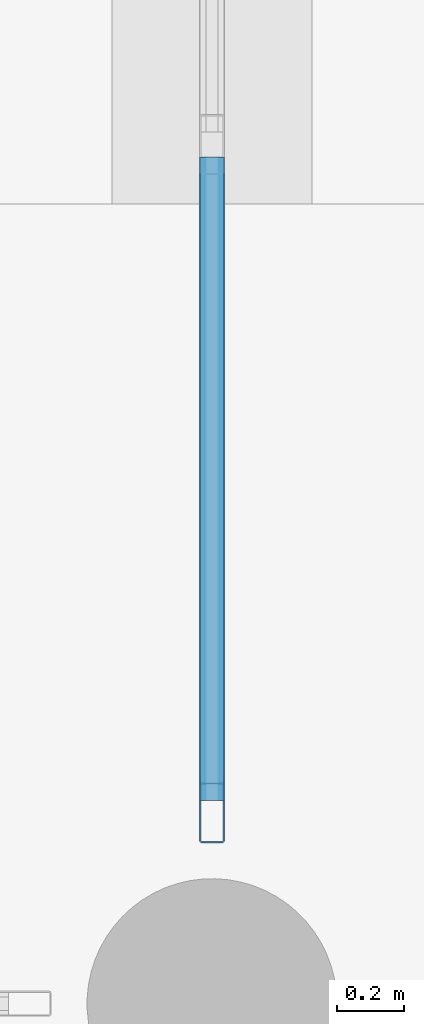
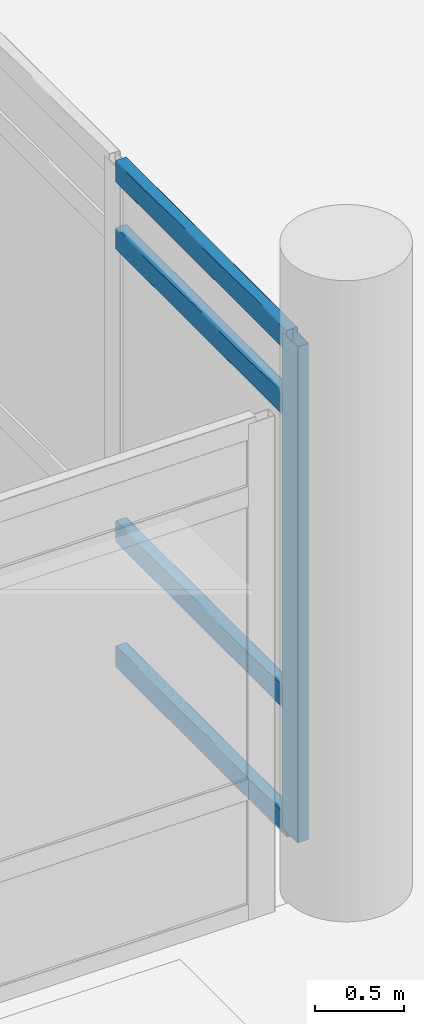
# One storey, part 90 of 196: 5 members, 1 element without a shape of its own.
"""IFC4 building model written with IfcOpenShell, lengths in metres."""

from ifc_helpers import new_model, si_unit, direction, frame, origin, origin_2d, place, context, subcontext, project, spatial, hollow_rectangle, extrude, material, layer, layer_set, material_profile, profile_set, type_object, element, aggregate, save


model = new_model("IFC4")

# Units and contexts
model_context = context("Model", 3, precision=1e-05, world=origin(), true_north=direction((0.0, 1.0)))
body_context = subcontext(model_context, "Body", "Model", "MODEL_VIEW")
ifc_project = project(units=[si_unit("LENGTHUNIT", "METRE"), si_unit("AREAUNIT", "SQUARE_METRE"), si_unit("VOLUMEUNIT", "CUBIC_METRE"), si_unit("PLANEANGLEUNIT", "RADIAN"), si_unit("MASSUNIT", "GRAM", prefix="KILO")], contexts=[model_context])

# Site, building, storey
site_placement = place(None, origin())
site = spatial("IfcSite", under=ifc_project, at=site_placement, CompositionType="ELEMENT")
building_placement = place(site_placement, origin())
building = spatial("IfcBuilding", under=site, at=building_placement, Name="Asteropetra Specialist Clinic", CompositionType="ELEMENT")
storey_placement = place(building_placement, origin())
storey = spatial("IfcBuildingStorey", under=building, at=storey_placement, Name="L00", CompositionType="ELEMENT", Elevation=0.0)

# Curtain wall, members
ifc_material_1 = material(Name="Aluminium and low-E glass", Category="aluminium")
ifc_layer = layer(ifc_material_1, 0.14990234375)
ifc_layer_set = layer_set([ifc_layer], Name="Aluminium and low-E glass")
curtain_wall_type = type_object("IfcCurtainWallType", Name="CW-SYS-05", PredefinedType="USERDEFINED", material=ifc_layer_set)
curtain_wall_placement = place(storey_placement, origin())
curtain_wall = element("IfcCurtainWall", 1, at=curtain_wall_placement, inside=storey, type_object=curtain_wall_type, Name="Curtain Wall CW-006", ObjectType="UNITISED CURTAIN WALL", PredefinedType="USERDEFINED")
ifc_material_2 = material(Name="Aluminium 6063-T6", Category="aluminium")
ifc_material_profile_1 = material_profile(ifc_material_2, hollow_rectangle(XDim=0.074951171875, YDim=0.179931640625, WallThickness=0.00390625, InnerFilletRadius=0.00390625, OuterFilletRadius=0.008056640625, at=origin_2d()), Name="MUL 180x75x4.0")
ifc_profile_set_1 = profile_set([ifc_material_profile_1], Name="Aluminium 6063-T6")
member_type_1 = type_object("IfcMemberType", Name="CWM-180x75", PredefinedType="MULLION", material=ifc_profile_set_1)
member_1_placement = place(storey_placement, frame((28.800048828125, 77.37255859375, 0.0), z_axis=(0.0, 0.0, 1.0), x_axis=(-1.0, 0.0, 0.0)))
member_1 = element("IfcMember", 2, at=member_1_placement, type_object=member_type_1, Name="CW-006 mullion 1", PredefinedType="MULLION", context=body_context, shape_type="SweptSolid", body=[
    extrude(hollow_rectangle(XDim=0.074951171875, YDim=0.179931640625, WallThickness=0.00390625, InnerFilletRadius=0.00390625, OuterFilletRadius=0.008056640625, at=origin_2d()), origin(), (0.0, 0.0, 1.0), 3.419921875),
])
ifc_material_3 = material(Name="Aluminium 6063-T6", Category="aluminium")
ifc_material_profile_2 = material_profile(ifc_material_3, hollow_rectangle(XDim=0.074951171875, YDim=0.14990234375, WallThickness=0.00390625, InnerFilletRadius=0.00390625, OuterFilletRadius=0.008056640625, at=origin_2d()), Name="TRN 150x75x4.0")
ifc_profile_set_2 = profile_set([ifc_material_profile_2], Name="Aluminium 6063-T6")
member_type_2 = type_object("IfcMemberType", Name="CWT-150x75", PredefinedType="USERDEFINED", material=ifc_profile_set_2)
member_2_placement = place(storey_placement, frame((28.800048828125, 77.409912109375, 0.03759765625), z_axis=(0.0, 1.0, 0.0), x_axis=(-1.0, 0.0, 0.0)))
member_2 = element("IfcMember", 3, at=member_2_placement, type_object=member_type_2, Name="CW-006 transom 1.1", ObjectType="TRANSOM", PredefinedType="USERDEFINED", context=body_context, shape_type="SweptSolid", body=[
    extrude(hollow_rectangle(XDim=0.074951171875, YDim=0.14990234375, WallThickness=0.00390625, InnerFilletRadius=0.00390625, OuterFilletRadius=0.008056640625, at=origin_2d()), origin(), (0.0, 0.0, 1.0), 1.930908203125),
])
member_3_placement = place(storey_placement, frame((28.800048828125, 77.409912109375, 0.89990234375), z_axis=(0.0, 1.0, 0.0), x_axis=(-1.0, 0.0, 0.0)))
member_3 = element("IfcMember", 4, at=member_3_placement, type_object=member_type_2, Name="CW-006 transom 1.2", ObjectType="TRANSOM", PredefinedType="USERDEFINED", context=body_context, shape_type="SweptSolid", body=[
    extrude(hollow_rectangle(XDim=0.074951171875, YDim=0.14990234375, WallThickness=0.00390625, InnerFilletRadius=0.00390625, OuterFilletRadius=0.008056640625, at=origin_2d()), origin(), (0.0, 0.0, 1.0), 1.930908203125),
])
member_4_placement = place(storey_placement, frame((28.800048828125, 77.409912109375, 2.919921875), z_axis=(0.0, 1.0, 0.0), x_axis=(-1.0, 0.0, 0.0)))
member_4 = element("IfcMember", 5, at=member_4_placement, type_object=member_type_2, Name="CW-006 transom 1.3", ObjectType="TRANSOM", PredefinedType="USERDEFINED", context=body_context, shape_type="SweptSolid", body=[
    extrude(hollow_rectangle(XDim=0.074951171875, YDim=0.14990234375, WallThickness=0.00390625, InnerFilletRadius=0.00390625, OuterFilletRadius=0.008056640625, at=origin_2d()), origin(), (0.0, 0.0, 1.0), 1.930908203125),
])
member_5_placement = place(storey_placement, frame((28.800048828125, 77.409912109375, 3.382568359375), z_axis=(0.0, 1.0, 0.0), x_axis=(-1.0, 0.0, 0.0)))
member_5 = element("IfcMember", 6, at=member_5_placement, type_object=member_type_2, Name="CW-006 transom 1.4", ObjectType="TRANSOM", PredefinedType="USERDEFINED", context=body_context, shape_type="SweptSolid", body=[
    extrude(hollow_rectangle(XDim=0.074951171875, YDim=0.14990234375, WallThickness=0.00390625, InnerFilletRadius=0.00390625, OuterFilletRadius=0.008056640625, at=origin_2d()), origin(), (0.0, 0.0, 1.0), 1.930908203125),
])
aggregate(curtain_wall, [member_1, member_2, member_3, member_4, member_5])

save(model, "model.ifc")
